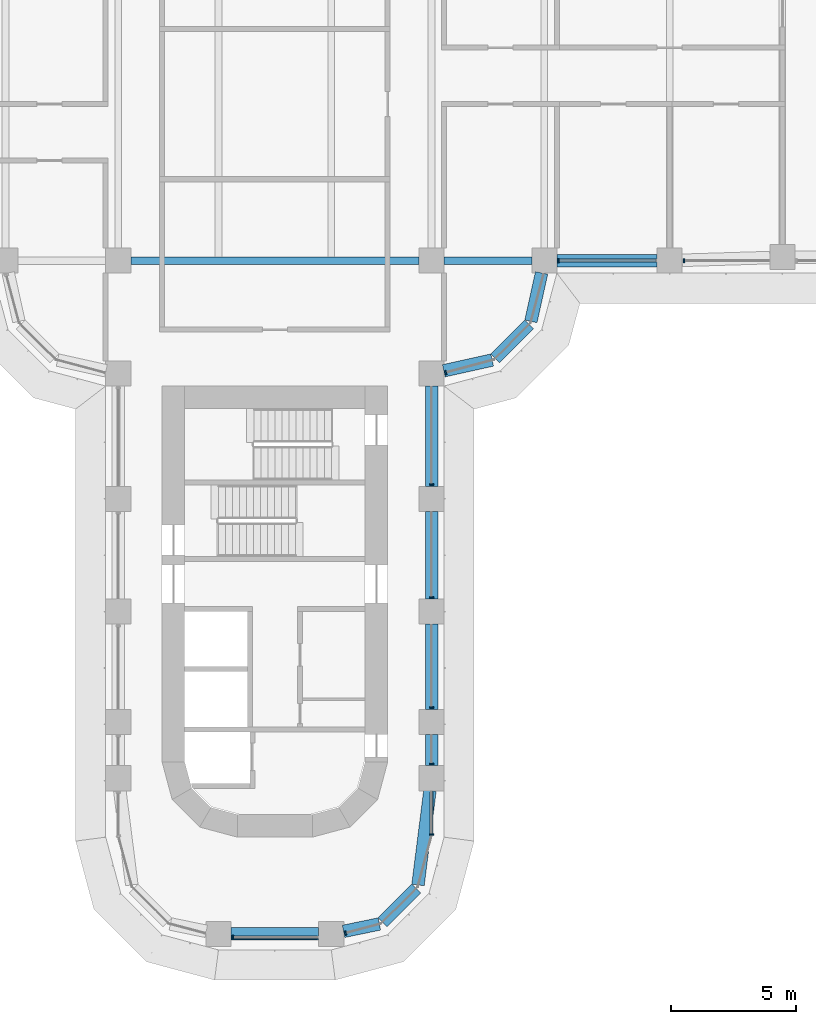
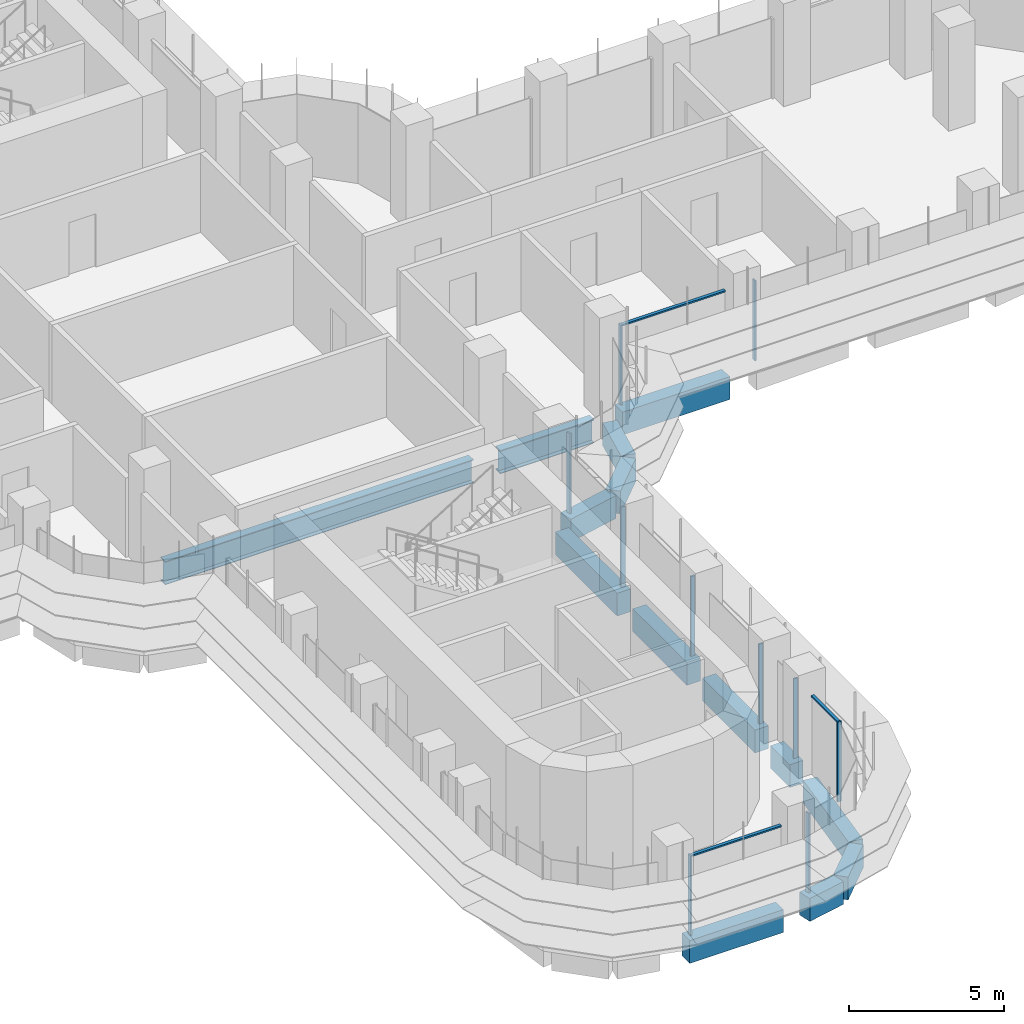
# One storey, part 4 of 23: 14 beams, 13 members, 5 elements without a shape of their own.
"""IFC4 building model written with IfcOpenShell, lengths in metres."""

from ifc_helpers import new_model, si_unit, direction, frame, origin, origin_2d, place, context, subcontext, project, spatial, polyline, rectangle, i_section, outline, extrude, source, transform, mapped, material, material_profile, profile_set, type_object, element, aggregate, save


model = new_model("IFC4")

# Units and contexts
model_context = context("Model", 3, precision=1e-05, world=origin(), true_north=direction((0.0, 1.0)))
body_context = subcontext(model_context, "Body", "Model", "MODEL_VIEW")
ifc_project = project(units=[si_unit("LENGTHUNIT", "METRE"), si_unit("AREAUNIT", "SQUARE_METRE"), si_unit("VOLUMEUNIT", "CUBIC_METRE"), si_unit("PLANEANGLEUNIT", "RADIAN"), si_unit("MASSUNIT", "GRAM", prefix="KILO")], contexts=[model_context])

# Site, building, storey
site_placement = place(None, origin())
site = spatial("IfcSite", under=ifc_project, at=site_placement, CompositionType="ELEMENT")
building_placement = place(site_placement, origin())
building = spatial("IfcBuilding", under=site, at=building_placement, Name="Zarbagh Exchange Tower", CompositionType="ELEMENT")
storey_placement = place(building_placement, frame((0.0, 0.0, 39.60009765625)))
storey = spatial("IfcBuildingStorey", under=building, at=storey_placement, Name="L08", CompositionType="ELEMENT", Elevation=39.60009765625)

# Beams
ifc_material_1 = material(Name="Steel ASTM A992 Gr 50", Category="steel")
ifc_material_profile_1 = material_profile(ifc_material_1, i_section(OverallWidth=0.3046875, OverallDepth=0.91943359375, WebThickness=0.017333984375, FlangeThickness=0.02783203125, at=origin_2d()), Name="W36X170")
ifc_profile_set_1 = profile_set([ifc_material_profile_1], Name="Steel ASTM A992 Gr 50")
beam_type_1 = type_object("IfcBeamType", Name="Floor girder W36X170", PredefinedType="BEAM", material=ifc_profile_set_1)
beam_1_placement = place(storey_placement, frame((-5.75, -6.25, -0.60986328125), z_axis=(1.0, 0.0, 0.0), x_axis=(0.0, 1.0, 0.0)))
element("IfcBeam", 1, at=beam_1_placement, inside=storey, type_object=beam_type_1, Name="Steel girder", PredefinedType="BEAM", context=body_context, shape_type="SweptSolid", body=[
    extrude(i_section(OverallWidth=0.3046875, OverallDepth=0.91943359375, WebThickness=0.017333984375, FlangeThickness=0.02783203125, at=origin_2d()), origin(), (0.0, 0.0, 1.0), 11.5),
])
beam_2_placement = place(storey_placement, frame((6.75, -6.25, -0.60986328125), z_axis=(1.0, 0.0, 0.0), x_axis=(0.0, 1.0, 0.0)))
element("IfcBeam", 2, at=beam_2_placement, inside=storey, type_object=beam_type_1, Name="Steel girder", PredefinedType="BEAM", context=body_context, shape_type="SweptSolid", body=[
    extrude(i_section(OverallWidth=0.3046875, OverallDepth=0.91943359375, WebThickness=0.017333984375, FlangeThickness=0.02783203125, at=origin_2d()), origin(), (0.0, 0.0, 1.0), 3.5),
])
ifc_material_2 = material(Name="Concrete C60/75", Category="concrete")
ifc_material_profile_2 = material_profile(ifc_material_2, rectangle(XDim=0.5, YDim=0.89990234375, at=origin_2d()), Name="RC spandrel beam 500 x 900 C60/75")
ifc_profile_set_2 = profile_set([ifc_material_profile_2], Name="Concrete C60/75")
beam_type_2 = type_object("IfcBeamType", Name="RC spandrel beam 500 x 900 C60/75", PredefinedType="SPANDREL", material=ifc_profile_set_2)
beam_3_placement = place(storey_placement, frame((15.25, -6.25, -0.60009765625), z_axis=(-1.0, 0.0, 0.0), x_axis=(0.0, -1.0, 0.0)))
element("IfcBeam", 3, at=beam_3_placement, inside=storey, type_object=beam_type_2, Name="RC spandrel beam", PredefinedType="SPANDREL", context=body_context, shape_type="SweptSolid", body=[
    extrude(rectangle(XDim=0.5, YDim=0.89990234375, at=origin_2d()), origin(), (0.0, 0.0, 1.0), 4.0),
])
beam_4_placement = place(storey_placement, frame((10.64208984375, -6.73828125, -0.60009765625), z_axis=(-0.216081063242, -0.976375426825, 0.0), x_axis=(0.976375426825, -0.216081063242, 0.0)))
element("IfcBeam", 4, at=beam_4_placement, inside=storey, type_object=beam_type_2, Name="RC spandrel beam", PredefinedType="SPANDREL", context=body_context, shape_type="SweptSolid", body=[
    extrude(rectangle(XDim=0.5, YDim=0.89990234375, at=origin_2d()), origin(), (0.0, 0.0, 1.0), 1.978271484375),
])
beam_5_placement = place(storey_placement, frame((10.147216796875, -8.792724609375, -0.60009765625), z_axis=(-0.707106781187, -0.707106781187, 0.0), x_axis=(0.707106781187, -0.707106781187, 0.0)))
element("IfcBeam", 5, at=beam_5_placement, inside=storey, type_object=beam_type_2, Name="RC spandrel beam", PredefinedType="SPANDREL", context=body_context, shape_type="SweptSolid", body=[
    extrude(rectangle(XDim=0.5, YDim=0.89990234375, at=origin_2d()), origin(), (0.0, 0.0, 1.0), 1.91552734375),
])
beam_6_placement = place(storey_placement, frame((8.669921875, -10.214599609375, -0.60009765625), z_axis=(-0.976375426825, -0.216081063242, 0.0), x_axis=(0.216081063242, -0.976375426825, 0.0)))
element("IfcBeam", 6, at=beam_6_placement, inside=storey, type_object=beam_type_2, Name="RC spandrel beam", PredefinedType="SPANDREL", context=body_context, shape_type="SweptSolid", body=[
    extrude(rectangle(XDim=0.5, YDim=0.89990234375, at=origin_2d()), origin(), (0.0, 0.0, 1.0), 1.978271484375),
])
beam_7_placement = place(storey_placement, frame((6.25, -11.25, -0.60009765625), z_axis=(0.0, -1.0, 0.0), x_axis=(1.0, 0.0, 0.0)))
element("IfcBeam", 7, at=beam_7_placement, inside=storey, type_object=beam_type_2, Name="RC spandrel beam", PredefinedType="SPANDREL", context=body_context, shape_type="SweptSolid", body=[
    extrude(rectangle(XDim=0.5, YDim=0.89990234375, at=origin_2d()), origin(), (0.0, 0.0, 1.0), 4.0),
])
beam_8_placement = place(storey_placement, frame((6.25, -16.25, -0.60009765625), z_axis=(0.0, -1.0, 0.0), x_axis=(1.0, 0.0, 0.0)))
element("IfcBeam", 8, at=beam_8_placement, inside=storey, type_object=beam_type_2, Name="RC spandrel beam", PredefinedType="SPANDREL", context=body_context, shape_type="SweptSolid", body=[
    extrude(rectangle(XDim=0.5, YDim=0.89990234375, at=origin_2d()), origin(), (0.0, 0.0, 1.0), 3.5),
])
beam_9_placement = place(storey_placement, frame((6.25, -20.75, -0.60009765625), z_axis=(0.0, -1.0, 0.0), x_axis=(1.0, 0.0, 0.0)))
element("IfcBeam", 9, at=beam_9_placement, inside=storey, type_object=beam_type_2, Name="RC spandrel beam", PredefinedType="SPANDREL", context=body_context, shape_type="SweptSolid", body=[
    extrude(rectangle(XDim=0.5, YDim=0.89990234375, at=origin_2d()), origin(), (0.0, 0.0, 1.0), 3.39990234375),
])
beam_10_placement = place(storey_placement, frame((6.25, -25.14990234375, -0.60009765625), z_axis=(0.0, -1.0, 0.0), x_axis=(1.0, 0.0, 0.0)))
element("IfcBeam", 10, at=beam_10_placement, inside=storey, type_object=beam_type_2, Name="RC spandrel beam", PredefinedType="SPANDREL", context=body_context, shape_type="SweptSolid", body=[
    extrude(rectangle(XDim=0.5, YDim=0.89990234375, at=origin_2d()), origin(), (0.0, 0.0, 1.0), 1.25),
])
beam_11_placement = place(storey_placement, frame((6.18701171875, -27.39599609375, -0.60009765625), z_axis=(-0.12591317752, -0.992041265133, 0.0), x_axis=(0.992041265133, -0.12591317752, 0.0)))
element("IfcBeam", 11, at=beam_11_placement, inside=storey, type_object=beam_type_2, Name="RC spandrel beam", PredefinedType="SPANDREL", context=body_context, shape_type="SweptSolid", body=[
    extrude(rectangle(XDim=0.5, YDim=0.89990234375, at=origin_2d()), origin(), (0.0, 0.0, 1.0), 3.790771484375),
])
beam_12_placement = place(storey_placement, frame((5.638427734375, -31.301513671875, -0.60009765625), z_axis=(-0.707042571718, -0.707170984825, 0.0), x_axis=(0.707170984825, -0.707042571718, 0.0)))
element("IfcBeam", 12, at=beam_12_placement, inside=storey, type_object=beam_type_2, Name="RC spandrel beam", PredefinedType="SPANDREL", context=body_context, shape_type="SweptSolid", body=[
    extrude(rectangle(XDim=0.5, YDim=0.89990234375, at=origin_2d()), origin(), (0.0, 0.0, 1.0), 1.901123046875),
])
beam_13_placement = place(storey_placement, frame((4.16796875, -32.714111328125, -0.60009765625), z_axis=(-0.9793713725, -0.202068589164, 0.0), x_axis=(0.202068589164, -0.9793713725, 0.0)))
element("IfcBeam", 13, at=beam_13_placement, inside=storey, type_object=beam_type_2, Name="RC spandrel beam", PredefinedType="SPANDREL", context=body_context, shape_type="SweptSolid", body=[
    extrude(rectangle(XDim=0.5, YDim=0.89990234375, at=origin_2d()), origin(), (0.0, 0.0, 1.0), 1.458251953125),
])
beam_14_placement = place(storey_placement, frame((1.75, -33.110107421875, -0.60009765625), z_axis=(-1.0, 0.0, 0.0), x_axis=(0.0, -1.0, 0.0)))
element("IfcBeam", 14, at=beam_14_placement, inside=storey, type_object=beam_type_2, Name="RC spandrel beam", PredefinedType="SPANDREL", context=body_context, shape_type="SweptSolid", body=[
    extrude(rectangle(XDim=0.5, YDim=0.89990234375, at=origin_2d()), origin(), (0.0, 0.0, 1.0), 3.5),
])

# Curtain wall, member
ifc_material_3 = material(Name="Anodised aluminium frame and glazing", Category="aluminium")
curtain_wall_type = type_object("IfcCurtainWallType", Name="CWA Ribbon glazing, lower zones", PredefinedType="NOTDEFINED", material=ifc_material_3)
curtain_wall_1_placement = place(storey_placement, origin())
curtain_wall_1 = element("IfcCurtainWall", 15, at=curtain_wall_1_placement, inside=storey, type_object=curtain_wall_type, Name="CWA01 curtain wall", PredefinedType="NOTDEFINED")
ifc_material_4 = material(Name="Anodised aluminium frame", Category="aluminium")
member_type_1 = type_object("IfcMemberType", Name="MUA Mullion, anodised aluminium frame", PredefinedType="MULLION", material=ifc_material_4)
shared_shape_1 = source(origin(), body_context, "Body", "SweptSolid", [
    extrude(outline(polyline([(0.0, -0.080078125), (0.06005859375, -0.080078125), (0.06005859375, 0.080078125), (0.0, 0.080078125), (0.0, -0.080078125)])), origin(), (0.0, 0.0, 1.0), 3.14990234375),
])
placement = place(storey_placement, origin())
member_1 = element("IfcMember", 16, at=placement, type_object=member_type_1, Name="CWA01 mullion 1.1", PredefinedType="MULLION", context=body_context, shape_type="MappedRepresentation", body=[
    mapped(shared_shape_1, transform((2.7900390625, -33.087646484375, 0.0), x_axis=(0.965924289636, 0.258824779902, 0.0), y_axis=(-0.258824779902, 0.965924289636, 0.0), z_axis=(0.0, 0.0, 1.0))),
])
aggregate(curtain_wall_1, [member_1])

# Curtain wall, members
curtain_wall_2_placement = place(storey_placement, origin())
curtain_wall_2 = element("IfcCurtainWall", 17, at=curtain_wall_2_placement, inside=storey, type_object=curtain_wall_type, Name="CWA04 curtain wall", PredefinedType="NOTDEFINED")
member_2 = element("IfcMember", 18, at=placement, type_object=member_type_1, Name="CWA04 mullion 1.1", PredefinedType="MULLION", context=body_context, shape_type="MappedRepresentation", body=[
    mapped(shared_shape_1, transform((6.25, -29.18408203125, 0.0), x_axis=(0.0, 1.0, 0.0), y_axis=(-1.0, 0.0, 0.0), z_axis=(0.0, 0.0, 1.0))),
])
member_3 = element("IfcMember", 19, at=placement, type_object=member_type_1, Name="CWA04 mullion 2.1", PredefinedType="MULLION", context=body_context, shape_type="MappedRepresentation", body=[
    mapped(shared_shape_1, transform((6.25, -26.35986328125, 0.0), x_axis=(0.0, 1.0, 0.0), y_axis=(-1.0, 0.0, 0.0), z_axis=(0.0, 0.0, 1.0))),
])
member_4 = element("IfcMember", 20, at=placement, type_object=member_type_1, Name="CWA04 mullion 3.1", PredefinedType="MULLION", context=body_context, shape_type="MappedRepresentation", body=[
    mapped(shared_shape_1, transform((6.25, -24.10986328125, 0.0), x_axis=(0.0, 1.0, 0.0), y_axis=(-1.0, 0.0, 0.0), z_axis=(0.0, 0.0, 1.0))),
])
member_5 = element("IfcMember", 21, at=placement, type_object=member_type_1, Name="CWA04 mullion 4.1", PredefinedType="MULLION", context=body_context, shape_type="MappedRepresentation", body=[
    mapped(shared_shape_1, transform((6.25, -19.7099609375, 0.0), x_axis=(0.0, 1.0, 0.0), y_axis=(-1.0, 0.0, 0.0), z_axis=(0.0, 0.0, 1.0))),
])
member_6 = element("IfcMember", 22, at=placement, type_object=member_type_1, Name="CWA04 mullion 5.1", PredefinedType="MULLION", context=body_context, shape_type="MappedRepresentation", body=[
    mapped(shared_shape_1, transform((6.25, -15.2099609375, 0.0), x_axis=(0.0, 1.0, 0.0), y_axis=(-1.0, 0.0, 0.0), z_axis=(0.0, 0.0, 1.0))),
])

# Curtain wall, member
curtain_wall_3_placement = place(storey_placement, origin())
curtain_wall_3 = element("IfcCurtainWall", 23, at=curtain_wall_3_placement, inside=storey, type_object=curtain_wall_type, Name="CWA05 curtain wall", PredefinedType="NOTDEFINED")
member_7 = element("IfcMember", 24, at=placement, type_object=member_type_1, Name="CWA05 mullion 1.1", PredefinedType="MULLION", context=body_context, shape_type="MappedRepresentation", body=[
    mapped(shared_shape_1, transform((6.7900390625, -10.7216796875, 0.0), x_axis=(0.965924289636, 0.258824779902, 0.0), y_axis=(-0.258824779902, 0.965924289636, 0.0), z_axis=(0.0, 0.0, 1.0))),
])
aggregate(curtain_wall_3, [member_7])

# Curtain wall, members
curtain_wall_4_placement = place(storey_placement, origin())
curtain_wall_4 = element("IfcCurtainWall", 25, at=curtain_wall_4_placement, inside=storey, type_object=curtain_wall_type, Name="CWA08 curtain wall", PredefinedType="NOTDEFINED")
member_8 = element("IfcMember", 26, at=placement, type_object=member_type_1, Name="CWA08 mullion 1.1", PredefinedType="MULLION", context=body_context, shape_type="MappedRepresentation", body=[
    mapped(shared_shape_1, transform((11.2900390625, -6.25, 0.0), x_axis=(1.0, 0.0, 0.0), y_axis=(0.0, 1.0, 0.0), z_axis=(0.0, 0.0, 1.0))),
])
member_9 = element("IfcMember", 27, at=placement, type_object=member_type_1, Name="CWA08 mullion 2.1", PredefinedType="MULLION", context=body_context, shape_type="MappedRepresentation", body=[
    mapped(shared_shape_1, transform((16.2900390625, -6.25, 0.0), x_axis=(1.0, 0.0, 0.0), y_axis=(0.0, 1.0, 0.0), z_axis=(0.0, 0.0, 1.0))),
])

# Curtain wall, member
curtain_wall_5_placement = place(storey_placement, origin())
curtain_wall_5 = element("IfcCurtainWall", 28, at=curtain_wall_5_placement, inside=storey, type_object=curtain_wall_type, Name="CWA48 curtain wall", PredefinedType="NOTDEFINED")
member_10 = element("IfcMember", 29, at=placement, type_object=member_type_1, Name="CWA48 mullion 1.1", PredefinedType="MULLION", context=body_context, shape_type="MappedRepresentation", body=[
    mapped(shared_shape_1, transform((-1.7099609375, -33.25, 0.0), x_axis=(1.0, 0.0, 0.0), y_axis=(0.0, 1.0, 0.0), z_axis=(0.0, 0.0, 1.0))),
])

# Member
member_type_2 = type_object("IfcMemberType", Name="TRA Transom, anodised aluminium frame", PredefinedType="USERDEFINED", material=ifc_material_4)
shared_shape_2 = source(origin(), body_context, "Body", "SweptSolid", [
    extrude(outline(polyline([(-0.06005859375, -0.06005859375), (0.0, -0.06005859375), (0.0, 0.06005859375), (-0.06005859375, 0.06005859375), (-0.06005859375, -0.06005859375)])), origin(), (0.0, 0.0, 1.0), 1.68408203125),
])
member_11 = element("IfcMember", 30, at=placement, type_object=member_type_2, Name="CWA04 transom 1.1", ObjectType="TRANSOM", PredefinedType="USERDEFINED", context=body_context, shape_type="MappedRepresentation", body=[
    mapped(shared_shape_2, transform((6.25, -29.124267578125, 3.14990234375), x_axis=(0.0, 0.0, 1.0), y_axis=(1.0, 0.0, 0.0), z_axis=(0.0, 1.0, 0.0))),
])

aggregate(curtain_wall_2, [member_2, member_11, member_3, member_4, member_5, member_6])

shared_shape_3 = source(origin(), body_context, "Body", "SweptSolid", [
    extrude(outline(polyline([(-0.06005859375, -0.06005859375), (0.0, -0.06005859375), (0.0, 0.06005859375), (-0.06005859375, 0.06005859375), (-0.06005859375, -0.06005859375)])), origin(), (0.0, 0.0, 1.0), 3.860107421875),
])
member_12 = element("IfcMember", 31, at=placement, type_object=member_type_2, Name="CWA08 transom 1.1", ObjectType="TRANSOM", PredefinedType="USERDEFINED", context=body_context, shape_type="MappedRepresentation", body=[
    mapped(shared_shape_3, transform((11.35009765625, -6.25, 3.14990234375), x_axis=(0.0, 0.0, 1.0), y_axis=(0.0, -1.0, 0.0), z_axis=(1.0, 0.0, 0.0))),
])

aggregate(curtain_wall_4, [member_8, member_12, member_9])

shared_shape_4 = source(origin(), body_context, "Body", "SweptSolid", [
    extrude(outline(polyline([(-0.06005859375, -0.06005859375), (0.0, -0.06005859375), (0.0, 0.06005859375), (-0.06005859375, 0.06005859375), (-0.06005859375, -0.06005859375)])), origin(), (0.0, 0.0, 1.0), 3.360107421875),
])
member_13 = element("IfcMember", 32, at=placement, type_object=member_type_2, Name="CWA48 transom 1.1", ObjectType="TRANSOM", PredefinedType="USERDEFINED", context=body_context, shape_type="MappedRepresentation", body=[
    mapped(shared_shape_4, transform((-1.64990234375, -33.25, 3.14990234375), x_axis=(0.0, 0.0, 1.0), y_axis=(0.0, -1.0, 0.0), z_axis=(1.0, 0.0, 0.0))),
])

aggregate(curtain_wall_5, [member_10, member_13])

save(model, "model.ifc")
